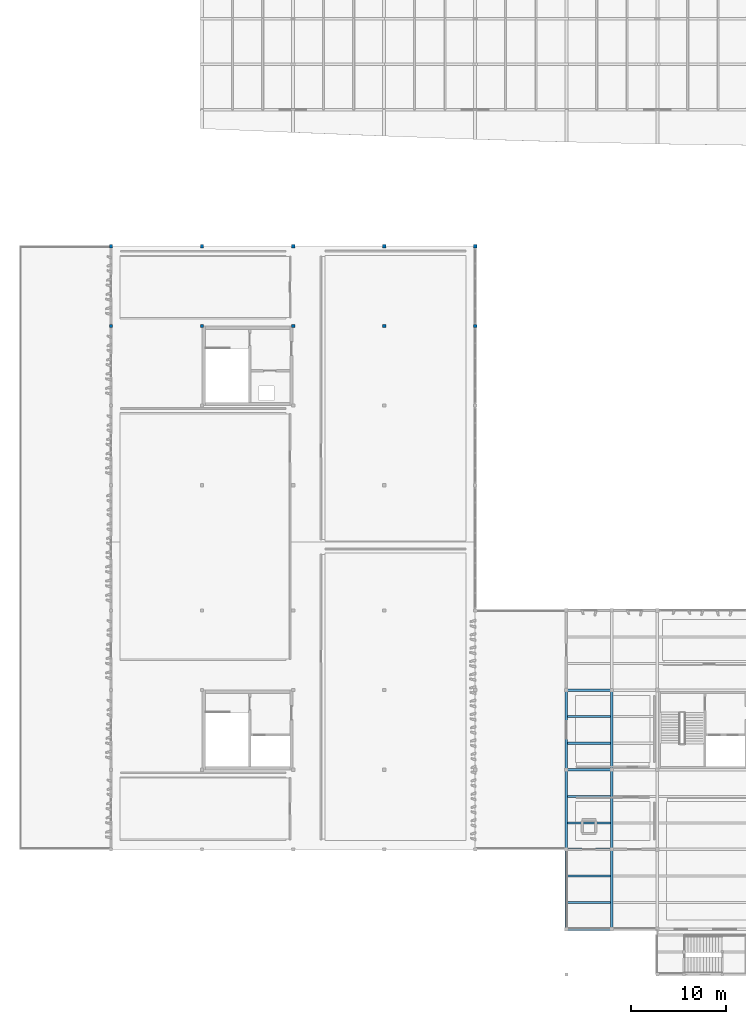
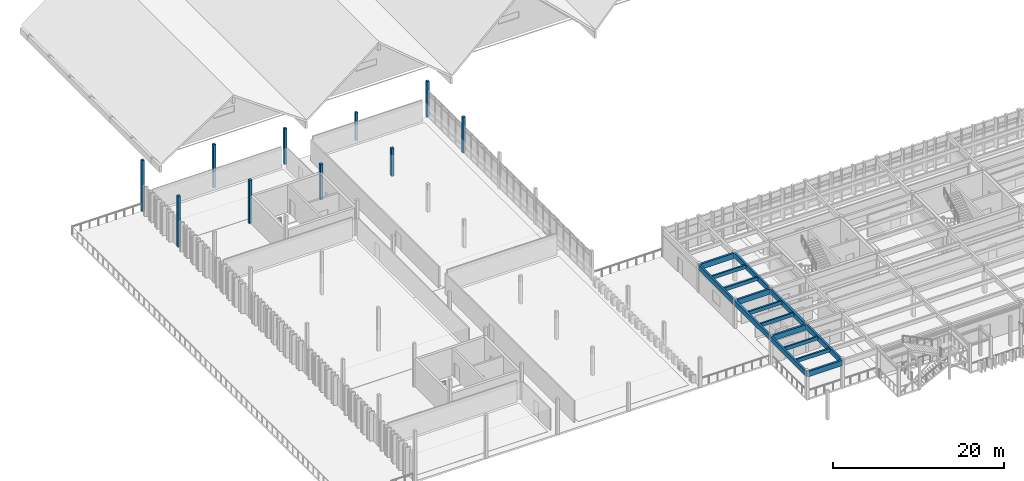
# One storey, part 3 of 42: 16 beams, 10 columns.
"""IFC4 building model written with IfcOpenShell, lengths in metres."""

from ifc_helpers import new_model, si_unit, direction, frame, origin, origin_2d, place, context, subcontext, project, spatial, rectangle, extrude, material, material_profile, profile_set, type_object, element, save


model = new_model("IFC4")

# Units and contexts
model_context = context("Model", 3, precision=1e-05, world=origin(), true_north=direction((0.0, 1.0)))
body_context = subcontext(model_context, "Body", "Model", "MODEL_VIEW")
ifc_project = project(units=[si_unit("LENGTHUNIT", "METRE"), si_unit("AREAUNIT", "SQUARE_METRE"), si_unit("VOLUMEUNIT", "CUBIC_METRE"), si_unit("PLANEANGLEUNIT", "RADIAN"), si_unit("MASSUNIT", "GRAM", prefix="KILO")], contexts=[model_context])

# Site, building, storey
site_placement = place(None, origin())
site = spatial("IfcSite", under=ifc_project, at=site_placement, CompositionType="ELEMENT")
building_placement = place(site_placement, origin())
building = spatial("IfcBuilding", under=site, at=building_placement, Name="Kolvemor Railside Polytechnic", CompositionType="ELEMENT")
storey_placement = place(building_placement, frame((0.0, 0.0, 14.39990234375)))
storey = spatial("IfcBuildingStorey", under=building, at=storey_placement, Name="L03", CompositionType="ELEMENT", Elevation=14.39990234375)

# Columns
ifc_material_1 = material(Name="Glulam GL28h", Category="wood")
ifc_material_profile_1 = material_profile(ifc_material_1, rectangle(XDim=0.340087890625, YDim=0.340087890625, at=origin_2d()), Name="GL340x340")
ifc_profile_set_1 = profile_set([ifc_material_profile_1], Name="Glulam GL28h")
column_type = type_object("IfcColumnType", Name="COL-GL340", PredefinedType="COLUMN", material=ifc_profile_set_1)
for number, where, z_axis, x_axis, name in (
    (1, (9.60009765625, 68.39990234375, 0.0), (0.0, 0.0, 1.0), (1.0, 0.0, 0.0), "Column L03-C007"),
    (2, (9.60009765625, 76.800048828125, 0.0), (0.0, 0.0, 1.0), (1.0, 0.0, 0.0), "Column L03-C008"),
):
    element("IfcColumn", number, at=place(storey_placement, frame(where, z_axis=z_axis, x_axis=x_axis)), inside=storey, type_object=column_type, Name=name, PredefinedType="COLUMN", context=body_context, shape_type="SweptSolid", body=[
        extrude(rectangle(XDim=0.340087890625, YDim=0.340087890625, at=origin_2d()), origin(), (0.0, 0.0, 1.0), 7.257080078125),
    ])
for number, where, z_axis, x_axis, name in (
    (3, (19.199951171875, 68.39990234375, 0.0), (0.0, 0.0, 1.0), (1.0, 0.0, 0.0), "Column L03-C015"),
    (4, (19.199951171875, 76.800048828125, 0.0), (0.0, 0.0, 1.0), (1.0, 0.0, 0.0), "Column L03-C016"),
):
    element("IfcColumn", number, at=place(storey_placement, frame(where, z_axis=z_axis, x_axis=x_axis)), inside=storey, type_object=column_type, Name=name, PredefinedType="COLUMN", context=body_context, shape_type="SweptSolid", body=[
        extrude(rectangle(XDim=0.340087890625, YDim=0.340087890625, at=origin_2d()), origin(), (0.0, 0.0, 1.0), 6.1650390625),
    ])
for number, where, z_axis, x_axis, name in (
    (5, (28.800048828125, 68.39990234375, 0.0), (0.0, 0.0, 1.0), (1.0, 0.0, 0.0), "Column L03-C023"),
    (6, (28.800048828125, 76.800048828125, 0.0), (0.0, 0.0, 1.0), (1.0, 0.0, 0.0), "Column L03-C024"),
):
    element("IfcColumn", number, at=place(storey_placement, frame(where, z_axis=z_axis, x_axis=x_axis)), inside=storey, type_object=column_type, Name=name, PredefinedType="COLUMN", context=body_context, shape_type="SweptSolid", body=[
        extrude(rectangle(XDim=0.340087890625, YDim=0.340087890625, at=origin_2d()), origin(), (0.0, 0.0, 1.0), 5.072021484375),
    ])
for number, where, z_axis, x_axis, name in (
    (7, (38.39990234375, 68.39990234375, 0.0), (0.0, 0.0, 1.0), (1.0, 0.0, 0.0), "Column L03-C031"),
    (8, (38.39990234375, 76.800048828125, 0.0), (0.0, 0.0, 1.0), (1.0, 0.0, 0.0), "Column L03-C032"),
):
    element("IfcColumn", number, at=place(storey_placement, frame(where, z_axis=z_axis, x_axis=x_axis)), inside=storey, type_object=column_type, Name=name, PredefinedType="COLUMN", context=body_context, shape_type="SweptSolid", body=[
        extrude(rectangle(XDim=0.340087890625, YDim=0.340087890625, at=origin_2d()), origin(), (0.0, 0.0, 1.0), 3.97998046875),
    ])
for number, where, z_axis, x_axis, name in (
    (9, (48.0, 68.39990234375, 0.0), (0.0, 0.0, 1.0), (1.0, 0.0, 0.0), "Column L03-C039"),
    (10, (48.0, 76.800048828125, 0.0), (0.0, 0.0, 1.0), (1.0, 0.0, 0.0), "Column L03-C040"),
):
    element("IfcColumn", number, at=place(storey_placement, frame(where, z_axis=z_axis, x_axis=x_axis)), inside=storey, type_object=column_type, Name=name, PredefinedType="COLUMN", context=body_context, shape_type="SweptSolid", body=[
        extrude(rectangle(XDim=0.340087890625, YDim=0.340087890625, at=origin_2d()), origin(), (0.0, 0.0, 1.0), 5.076171875),
    ])

# Beams
ifc_material_2 = material(Name="Glulam GL28h", Category="wood")
ifc_material_profile_2 = material_profile(ifc_material_2, rectangle(XDim=0.264892578125, YDim=0.760009765625, at=origin_2d()), Name="GL265x760")
ifc_profile_set_2 = profile_set([ifc_material_profile_2], Name="Glulam GL28h")
beam_type_1 = type_object("IfcBeamType", Name="BM-GL-GIRD1", PredefinedType="BEAM", material=ifc_profile_set_2)
for number, where, z_axis, x_axis, name in (
    (11, (57.60009765625, 4.800048828125, 3.570068359375), (1.0, 0.0, 0.0), (0.0, 1.0, 0.0), "Primary Girder L04-GX 1367"),
    (12, (57.60009765625, 13.199951171875, 3.570068359375), (1.0, 0.0, 0.0), (0.0, 1.0, 0.0), "Primary Girder L04-GX 1376"),
    (13, (57.60009765625, 21.60009765625, 3.570068359375), (1.0, 0.0, 0.0), (0.0, 1.0, 0.0), "Primary Girder L04-GX 1385"),
    (14, (57.60009765625, 30.0, 3.570068359375), (1.0, 0.0, 0.0), (0.0, 1.0, 0.0), "Primary Girder L04-GX 1394"),
):
    element("IfcBeam", number, at=place(storey_placement, frame(where, z_axis=z_axis, x_axis=x_axis)), inside=storey, type_object=beam_type_1, Name=name, PredefinedType="BEAM", context=body_context, shape_type="SweptSolid", body=[
        extrude(rectangle(XDim=0.264892578125, YDim=0.760009765625, at=origin_2d()), origin(), (0.0, 0.0, 1.0), 4.7998046875),
    ])
ifc_material_3 = material(Name="Glulam GL28h", Category="wood")
ifc_material_profile_3 = material_profile(ifc_material_3, rectangle(XDim=0.264892578125, YDim=0.719970703125, at=origin_2d()), Name="GL265x720")
ifc_profile_set_3 = profile_set([ifc_material_profile_3], Name="Glulam GL28h")
beam_type_2 = type_object("IfcBeamType", Name="BM-GL-GIRD4", PredefinedType="BEAM", material=ifc_profile_set_3)
beam_1_placement = place(storey_placement, frame((57.60009765625, 4.800048828125, 3.590087890625), z_axis=(0.0, 1.0, 0.0), x_axis=(-1.0, 0.0, 0.0)))
element("IfcBeam", 15, at=beam_1_placement, inside=storey, type_object=beam_type_2, Name="Primary Girder L04-GY 1412", PredefinedType="BEAM", context=body_context, shape_type="SweptSolid", body=[
    extrude(rectangle(XDim=0.264892578125, YDim=0.719970703125, at=origin_2d()), origin(), (0.0, 0.0, 1.0), 8.39990234375),
])
beam_2_placement = place(storey_placement, frame((57.60009765625, 13.199951171875, 3.590087890625), z_axis=(0.0, 1.0, 0.0), x_axis=(-1.0, 0.0, 0.0)))
element("IfcBeam", 16, at=beam_2_placement, inside=storey, type_object=beam_type_2, Name="Primary Girder L04-GY 1413", PredefinedType="BEAM", context=body_context, shape_type="SweptSolid", body=[
    extrude(rectangle(XDim=0.264892578125, YDim=0.719970703125, at=origin_2d()), origin(), (0.0, 0.0, 1.0), 8.400146484375),
])
for number, where, z_axis, x_axis, name in (
    (17, (57.60009765625, 21.60009765625, 3.590087890625), (0.0, 1.0, 0.0), (-1.0, 0.0, 0.0), "Primary Girder L04-GY 1414"),
    (18, (62.39990234375, 4.800048828125, 3.590087890625), (0.0, 1.0, 0.0), (-1.0, 0.0, 0.0), "Primary Girder L04-GY 1416"),
):
    element("IfcBeam", number, at=place(storey_placement, frame(where, z_axis=z_axis, x_axis=x_axis)), inside=storey, type_object=beam_type_2, Name=name, PredefinedType="BEAM", context=body_context, shape_type="SweptSolid", body=[
        extrude(rectangle(XDim=0.264892578125, YDim=0.719970703125, at=origin_2d()), origin(), (0.0, 0.0, 1.0), 8.39990234375),
    ])
beam_3_placement = place(storey_placement, frame((62.39990234375, 13.199951171875, 3.590087890625), z_axis=(0.0, 1.0, 0.0), x_axis=(-1.0, 0.0, 0.0)))
element("IfcBeam", 19, at=beam_3_placement, inside=storey, type_object=beam_type_2, Name="Primary Girder L04-GY 1417", PredefinedType="BEAM", context=body_context, shape_type="SweptSolid", body=[
    extrude(rectangle(XDim=0.264892578125, YDim=0.719970703125, at=origin_2d()), origin(), (0.0, 0.0, 1.0), 8.400146484375),
])
beam_4_placement = place(storey_placement, frame((62.39990234375, 21.60009765625, 3.590087890625), z_axis=(0.0, 1.0, 0.0), x_axis=(-1.0, 0.0, 0.0)))
element("IfcBeam", 20, at=beam_4_placement, inside=storey, type_object=beam_type_2, Name="Primary Girder L04-GY 1418", PredefinedType="BEAM", context=body_context, shape_type="SweptSolid", body=[
    extrude(rectangle(XDim=0.264892578125, YDim=0.719970703125, at=origin_2d()), origin(), (0.0, 0.0, 1.0), 8.39990234375),
])
ifc_material_4 = material(Name="Glulam GL28h", Category="wood")
ifc_material_profile_4 = material_profile(ifc_material_4, rectangle(XDim=0.215087890625, YDim=0.5, at=origin_2d()), Name="GL215x500")
ifc_profile_set_4 = profile_set([ifc_material_profile_4], Name="Glulam GL28h")
beam_type_3 = type_object("IfcBeamType", Name="BM-GL-JST3", PredefinedType="JOIST", material=ifc_profile_set_4)
for number, where, z_axis, x_axis, name in (
    (21, (57.73291015625, 7.60009765625, 3.7001953125), (1.0, 0.0, 0.0), (0.0, 1.0, 0.0), "Floor Joist L04-J1452"),
    (22, (57.73291015625, 10.39990234375, 3.7001953125), (1.0, 0.0, 0.0), (0.0, 1.0, 0.0), "Floor Joist L04-J1453"),
    (23, (57.73291015625, 16.0, 3.7001953125), (1.0, 0.0, 0.0), (0.0, 1.0, 0.0), "Floor Joist L04-J1454"),
    (24, (57.73291015625, 18.800048828125, 3.7001953125), (1.0, 0.0, 0.0), (0.0, 1.0, 0.0), "Floor Joist L04-J1455"),
    (25, (57.73291015625, 24.39990234375, 3.7001953125), (1.0, 0.0, 0.0), (0.0, 1.0, 0.0), "Floor Joist L04-J1456"),
    (26, (57.73291015625, 27.199951171875, 3.7001953125), (1.0, 0.0, 0.0), (0.0, 1.0, 0.0), "Floor Joist L04-J1457"),
):
    element("IfcBeam", number, at=place(storey_placement, frame(where, z_axis=z_axis, x_axis=x_axis)), inside=storey, type_object=beam_type_3, Name=name, PredefinedType="JOIST", context=body_context, shape_type="SweptSolid", body=[
        extrude(rectangle(XDim=0.215087890625, YDim=0.5, at=origin_2d()), origin(), (0.0, 0.0, 1.0), 4.5341796875),
    ])

save(model, "model.ifc")
